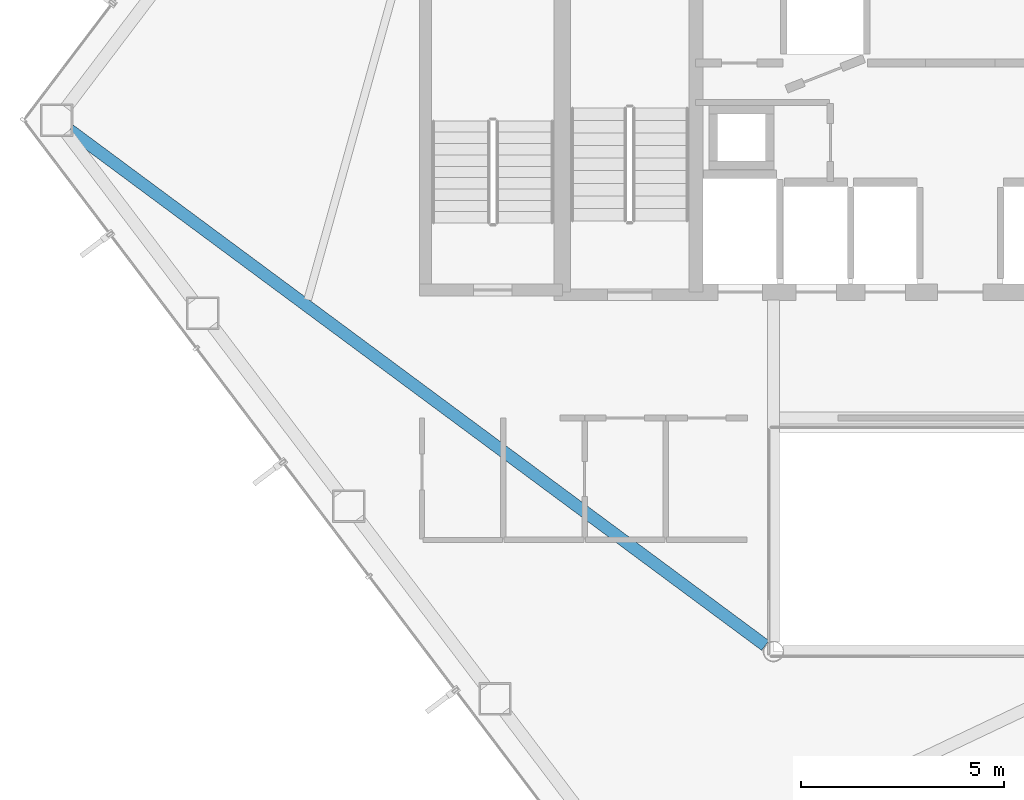
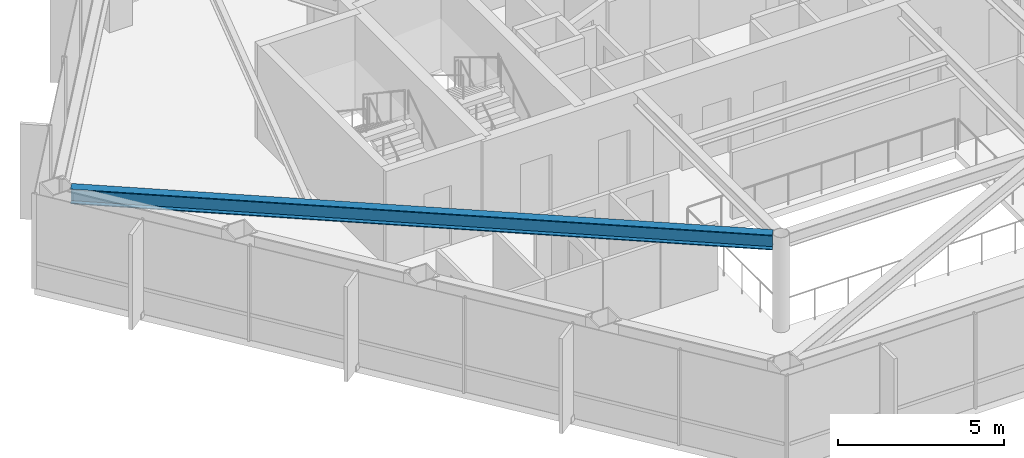
# One storey, part 5 of 28: 1 beam.
"""IFC4 building model written with IfcOpenShell, lengths in metres."""

import ifcopenshell
import ifcopenshell.guid

model = None  # the IFC model being written
_history = None  # IfcOwnerHistory: only IFC2X3 demands one
_inside = {}  # id of a spatial element -> (the spatial element, [elements in it])
_under = {}  # id of a project, library or spatial element -> (it, [spatial elements below it])
_declared = {}  # id of a project -> (the project, [libraries it declares])
_typed = {}  # id of a type object -> (the type object, [elements of that type])
_made_of = {}  # id of a material, layer set ... -> (it, [elements and type objects made of it])


def new_model(schema):
    """Start an empty IFC model of exactly this schema.

    Asked for "IFC4X3", IfcOpenShell would pick the latest addendum, in which some entities
    have other attributes; the version numbers below select the first issue.
    IFC2X3 requires an IfcOwnerHistory on every rooted entity: one is made here for all.
    """
    global model, _history
    if schema == "IFC4X3":
        model = ifcopenshell.file(schema_version=(4, 3, 0, 0))
    else:
        model = ifcopenshell.file(schema=schema)
    _inside.clear()
    _under.clear()
    _declared.clear()
    _typed.clear()
    _made_of.clear()
    _history = None
    if model.schema == "IFC2X3":
        org = make("IfcOrganization", Name="unknown")
        user = make(
            "IfcPersonAndOrganization",
            ThePerson=make("IfcPerson", FamilyName="unknown"),
            TheOrganization=org,
        )
        app = make(
            "IfcApplication",
            ApplicationDeveloper=org,
            Version="unknown",
            ApplicationFullName="unknown",
            ApplicationIdentifier="unknown",
        )
        _history = make(
            "IfcOwnerHistory",
            OwningUser=user,
            OwningApplication=app,
            ChangeAction="ADDED",
            CreationDate=0,
        )
    return model


def make(cls, **values):
    """One entity of the class cls with the attributes given. An attribute that is None is left unset."""
    return model.create_entity(
        cls, **{name: value for name, value in values.items() if value is not None}
    )


def rooted(cls, **values):
    """An entity with a GlobalId (a new one), such as an element, a storey or a relation."""
    return make(cls, GlobalId=ifcopenshell.guid.new(), OwnerHistory=_history, **values)


def si_unit(unit_type, name, prefix=None):
    """IfcSIUnit, for example si_unit("LENGTHUNIT", "METRE", prefix="MILLI")."""
    return make("IfcSIUnit", UnitType=unit_type, Prefix=prefix, Name=name)


def assignment(units):
    """IfcUnitAssignment: the units of a project."""
    return None if units is None else make("IfcUnitAssignment", Units=units)


def point(xyz):
    """IfcCartesianPoint."""
    return None if xyz is None else make("IfcCartesianPoint", Coordinates=xyz)


def direction(xyz):
    """IfcDirection."""
    return None if xyz is None else make("IfcDirection", DirectionRatios=xyz)


def frame(location, z_axis=None, x_axis=None):
    """IfcAxis2Placement3D, a coordinate frame: its origin and axes. An axis left out is left unset."""
    return make(
        "IfcAxis2Placement3D",
        Location=point(location),
        Axis=direction(z_axis),
        RefDirection=direction(x_axis),
    )


def frame_2d(location, x_axis=None):
    """IfcAxis2Placement2D, a coordinate frame in the plane: its origin and x axis."""
    return make(
        "IfcAxis2Placement2D", Location=point(location), RefDirection=direction(x_axis)
    )


def origin():
    """The frame at (0, 0, 0) with its axes left unset."""
    return frame((0.0, 0.0, 0.0))


def origin_2d():
    """The frame at (0, 0) in the plane with its x axis left unset."""
    return frame_2d((0.0, 0.0))


def place(relative_to, where):
    """IfcLocalPlacement: puts the frame where relative to a parent placement (None: the world)."""
    return make(
        "IfcLocalPlacement", PlacementRelTo=relative_to, RelativePlacement=where
    )


def context(
    kind, dimensions, precision=None, world=None, true_north=None, identifier=None
):
    """IfcGeometricRepresentationContext, for example the 3D "Model" context."""
    return make(
        "IfcGeometricRepresentationContext",
        ContextIdentifier=identifier,
        ContextType=kind,
        CoordinateSpaceDimension=dimensions,
        Precision=precision,
        WorldCoordinateSystem=world,
        TrueNorth=true_north,
    )


def subcontext(parent, identifier, kind, view, scale=None):
    """IfcGeometricRepresentationSubContext, for example "Body" below "Model"."""
    return make(
        "IfcGeometricRepresentationSubContext",
        ContextIdentifier=identifier,
        ContextType=kind,
        ParentContext=parent,
        TargetScale=scale,
        TargetView=view,
    )


def project(units=None, contexts=None):
    """IfcProject with its units and contexts."""
    return rooted(
        "IfcProject",
        Name="project",
        RepresentationContexts=contexts,
        UnitsInContext=assignment(units),
    )


def spatial(cls, under=None, at=None, **own):
    """A site, building, storey or space (cls), placed at a placement, below another one or the project."""
    s = rooted(cls, ObjectPlacement=at, **own)
    if under is not None:
        _under.setdefault(under.id(), (under, []))[1].append(s)
    return s


def profile(cls, at=None, kind="AREA", **sizes):
    """A parametric profile (cls). Its sizes go by their IFC names, for example OverallWidth=200.0."""
    return make(cls, ProfileType=kind, Position=at, **sizes)


def i_section(**sizes):
    """IfcIShapeProfileDef."""
    return profile("IfcIShapeProfileDef", **sizes)


def extrude(swept, where, along, depth):
    """IfcExtrudedAreaSolid: the profile swept, set in the frame where, extruded along a direction by depth."""
    return make(
        "IfcExtrudedAreaSolid",
        SweptArea=swept,
        Position=where,
        ExtrudedDirection=direction(along),
        Depth=depth,
    )


def shape(context_of_items, identifier, shape_type, items):
    """IfcShapeRepresentation: the items that make up one representation, for example the "Body"."""
    return make(
        "IfcShapeRepresentation",
        ContextOfItems=context_of_items,
        RepresentationIdentifier=identifier,
        RepresentationType=shape_type,
        Items=items,
    )


def material(Name=None, Category=None):
    """IfcMaterial."""
    return make("IfcMaterial", Name=Name, Category=Category)


def material_profile(
    of_material, cross_section, Name=None, Category=None, Priority=None
):
    """IfcMaterialProfile: a cross section and its material."""
    return make(
        "IfcMaterialProfile",
        Name=Name,
        Material=of_material,
        Profile=cross_section,
        Priority=Priority,
        Category=Category,
    )


def profile_set(profiles, Name=None, composite=None):
    """IfcMaterialProfileSet."""
    return make(
        "IfcMaterialProfileSet",
        Name=Name,
        MaterialProfiles=profiles,
        CompositeProfile=composite,
    )


def made_of(thing, what):
    """Note that an element or type object is made of a material, layer set ...; save() writes the relation."""
    if what is not None:
        _made_of.setdefault(what.id(), (what, []))[1].append(thing)
    return thing


def type_object(cls, material=None, **own):
    """A type object (cls), such as IfcWallType, which elements share."""
    return made_of(rooted(cls, **own), material)


def element(
    cls,
    number,
    at=None,
    inside=None,
    cuts=None,
    type_object=None,
    material=None,
    context=None,
    identifier="Body",
    shape_type=None,
    held_by="IfcProductDefinitionShape",
    body=None,
    shapes=None,
    **own,
):
    """One element of the class cls, such as IfcWall. Its Tag is "e" and its number.

    at: its placement. inside: the storey or other place that contains it. cuts: it is an
    opening in that element (IfcRelVoidsElement). A single representation is given by context,
    identifier, shape_type and body (its items); several are given by shapes. held_by: the class
    of the entity that holds the representations. save() writes the other relations.
    """
    e = rooted(cls, Tag="e%d" % number, ObjectPlacement=at, **own)
    if body is not None:
        shapes = [shape(context, identifier, shape_type, body)]
    if shapes is not None:
        e.Representation = make(held_by, Representations=shapes)
    if inside is not None:
        _inside.setdefault(inside.id(), (inside, []))[1].append(e)
    if cuts is not None:
        rooted(
            "IfcRelVoidsElement", RelatingBuildingElement=cuts, RelatedOpeningElement=e
        )
    if type_object is not None:
        _typed.setdefault(type_object.id(), (type_object, []))[1].append(e)
    return made_of(e, material)


def aggregate(whole, parts):
    """IfcRelAggregates: a whole, such as a stair, and the parts it consists of."""
    return rooted("IfcRelAggregates", RelatingObject=whole, RelatedObjects=parts)


def save(model, path):
    """Write the relations noted so far, then the file.

    IfcRelAggregates (storeys below a building ...), IfcRelContainedInSpatialStructure (elements
    in a storey), IfcRelDefinesByType, IfcRelAssociatesMaterial and IfcRelDeclares: one each for
    every whole, place, type object, material and project.
    """
    for whole, parts in _under.values():
        aggregate(whole, parts)
    for where, things in _inside.values():
        rooted(
            "IfcRelContainedInSpatialStructure",
            RelatedElements=things,
            RelatingStructure=where,
        )
    for kind, things in _typed.values():
        rooted("IfcRelDefinesByType", RelatedObjects=things, RelatingType=kind)
    for what, things in _made_of.values():
        rooted("IfcRelAssociatesMaterial", RelatedObjects=things, RelatingMaterial=what)
    for by, libraries in _declared.values():
        rooted("IfcRelDeclares", RelatingContext=by, RelatedDefinitions=libraries)
    model.write(path)


model = new_model("IFC4")

# Units and contexts
model_context = context("Model", 3, precision=1e-05, world=origin(), true_north=direction((0.0, 1.0)))
body_context = subcontext(model_context, "Body", "Model", "MODEL_VIEW")
ifc_project = project(units=[si_unit("LENGTHUNIT", "METRE"), si_unit("AREAUNIT", "SQUARE_METRE"), si_unit("VOLUMEUNIT", "CUBIC_METRE"), si_unit("PLANEANGLEUNIT", "RADIAN"), si_unit("MASSUNIT", "GRAM", prefix="KILO")], contexts=[model_context])

# Site, building, storey
site_placement = place(None, origin())
site = spatial("IfcSite", under=ifc_project, at=site_placement, CompositionType="ELEMENT")
building_placement = place(site_placement, origin())
building = spatial("IfcBuilding", under=site, at=building_placement, Name="Zarrinselat Tower", CompositionType="ELEMENT")
storey_placement = place(building_placement, frame((0.0, 0.0, 145.860107421875)))
storey = spatial("IfcBuildingStorey", under=building, at=storey_placement, Name="L35", CompositionType="ELEMENT", Elevation=145.860107421875)

# Beam
ifc_material = material(Name="Steel S355J2", Category="steel")
ifc_material_profile = material_profile(ifc_material, i_section(OverallWidth=0.300048828125, OverallDepth=0.550048828125, WebThickness=0.014892578125, FlangeThickness=0.029052734375, at=origin_2d()), Name="HEB 550")
ifc_profile_set = profile_set([ifc_material_profile], Name="Steel S355J2")
beam_type = type_object("IfcBeamType", Name="BM-HEB550", PredefinedType="BEAM", material=ifc_profile_set)
beam_placement = place(storey_placement, frame((16.47021484375, 37.243896484375, 3.224853515625), z_axis=(0.803400361154, -0.595439215787, 0.0), x_axis=(0.595439215787, 0.803400361154, 0.0)))
element("IfcBeam", 1, at=beam_placement, inside=storey, type_object=beam_type, Name="L35 Radial Primary Girder RG06", PredefinedType="BEAM", context=body_context, shape_type="SweptSolid", body=[
    extrude(i_section(OverallWidth=0.300048828125, OverallDepth=0.550048828125, WebThickness=0.014892578125, FlangeThickness=0.029052734375, at=origin_2d()), origin(), (0.0, 0.0, 1.0), 21.320556640625),
])

save(model, "model.ifc")
